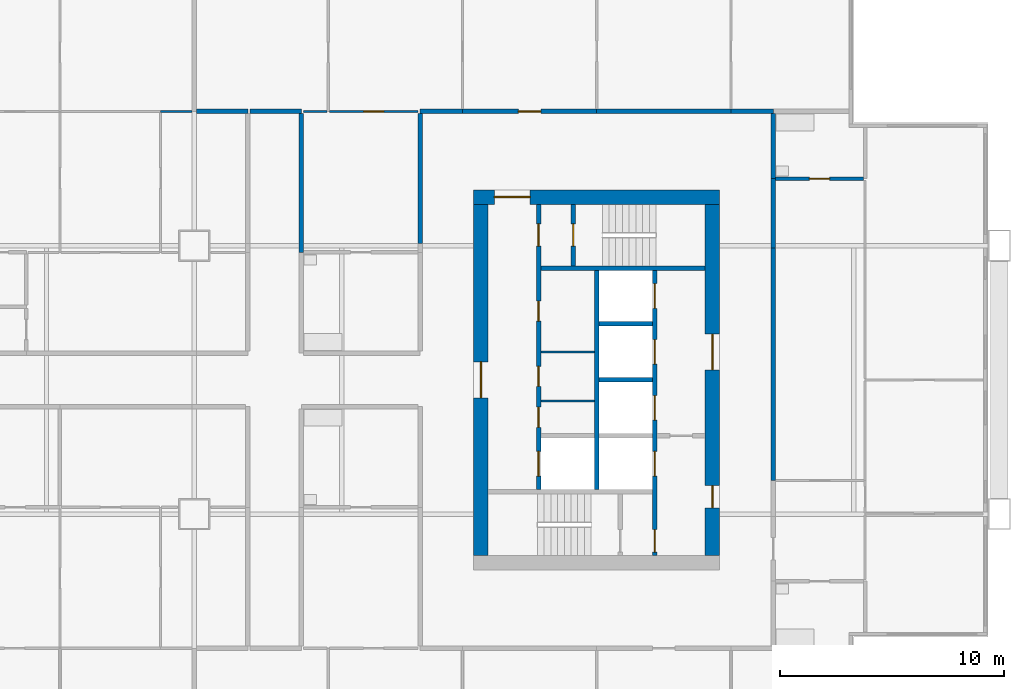
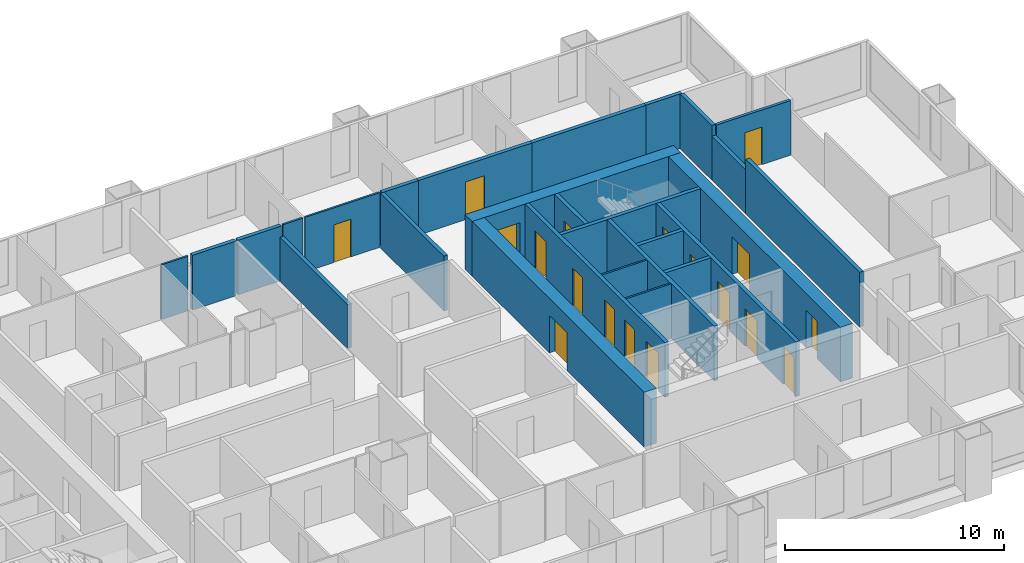
# One storey, part 7 of 12: 27 walls, 18 doors, 18 openings.
"""IFC4 building model written with IfcOpenShell, lengths in metres."""

import ifcopenshell
import ifcopenshell.guid

model = None  # the IFC model being written
_history = None  # IfcOwnerHistory: only IFC2X3 demands one
_inside = {}  # id of a spatial element -> (the spatial element, [elements in it])
_under = {}  # id of a project, library or spatial element -> (it, [spatial elements below it])
_declared = {}  # id of a project -> (the project, [libraries it declares])
_typed = {}  # id of a type object -> (the type object, [elements of that type])
_made_of = {}  # id of a material, layer set ... -> (it, [elements and type objects made of it])


def new_model(schema):
    """Start an empty IFC model of exactly this schema.

    Asked for "IFC4X3", IfcOpenShell would pick the latest addendum, in which some entities
    have other attributes; the version numbers below select the first issue.
    IFC2X3 requires an IfcOwnerHistory on every rooted entity: one is made here for all.
    """
    global model, _history
    if schema == "IFC4X3":
        model = ifcopenshell.file(schema_version=(4, 3, 0, 0))
    else:
        model = ifcopenshell.file(schema=schema)
    _inside.clear()
    _under.clear()
    _declared.clear()
    _typed.clear()
    _made_of.clear()
    _history = None
    if model.schema == "IFC2X3":
        org = make("IfcOrganization", Name="unknown")
        user = make(
            "IfcPersonAndOrganization",
            ThePerson=make("IfcPerson", FamilyName="unknown"),
            TheOrganization=org,
        )
        app = make(
            "IfcApplication",
            ApplicationDeveloper=org,
            Version="unknown",
            ApplicationFullName="unknown",
            ApplicationIdentifier="unknown",
        )
        _history = make(
            "IfcOwnerHistory",
            OwningUser=user,
            OwningApplication=app,
            ChangeAction="ADDED",
            CreationDate=0,
        )
    return model


def make(cls, **values):
    """One entity of the class cls with the attributes given. An attribute that is None is left unset."""
    return model.create_entity(
        cls, **{name: value for name, value in values.items() if value is not None}
    )


def rooted(cls, **values):
    """An entity with a GlobalId (a new one), such as an element, a storey or a relation."""
    return make(cls, GlobalId=ifcopenshell.guid.new(), OwnerHistory=_history, **values)


def si_unit(unit_type, name, prefix=None):
    """IfcSIUnit, for example si_unit("LENGTHUNIT", "METRE", prefix="MILLI")."""
    return make("IfcSIUnit", UnitType=unit_type, Prefix=prefix, Name=name)


def assignment(units):
    """IfcUnitAssignment: the units of a project."""
    return None if units is None else make("IfcUnitAssignment", Units=units)


def point(xyz):
    """IfcCartesianPoint."""
    return None if xyz is None else make("IfcCartesianPoint", Coordinates=xyz)


def direction(xyz):
    """IfcDirection."""
    return None if xyz is None else make("IfcDirection", DirectionRatios=xyz)


def frame(location, z_axis=None, x_axis=None):
    """IfcAxis2Placement3D, a coordinate frame: its origin and axes. An axis left out is left unset."""
    return make(
        "IfcAxis2Placement3D",
        Location=point(location),
        Axis=direction(z_axis),
        RefDirection=direction(x_axis),
    )


def frame_2d(location, x_axis=None):
    """IfcAxis2Placement2D, a coordinate frame in the plane: its origin and x axis."""
    return make(
        "IfcAxis2Placement2D", Location=point(location), RefDirection=direction(x_axis)
    )


def origin():
    """The frame at (0, 0, 0) with its axes left unset."""
    return frame((0.0, 0.0, 0.0))


def place(relative_to, where):
    """IfcLocalPlacement: puts the frame where relative to a parent placement (None: the world)."""
    return make(
        "IfcLocalPlacement", PlacementRelTo=relative_to, RelativePlacement=where
    )


def context(
    kind, dimensions, precision=None, world=None, true_north=None, identifier=None
):
    """IfcGeometricRepresentationContext, for example the 3D "Model" context."""
    return make(
        "IfcGeometricRepresentationContext",
        ContextIdentifier=identifier,
        ContextType=kind,
        CoordinateSpaceDimension=dimensions,
        Precision=precision,
        WorldCoordinateSystem=world,
        TrueNorth=true_north,
    )


def subcontext(parent, identifier, kind, view, scale=None):
    """IfcGeometricRepresentationSubContext, for example "Body" below "Model"."""
    return make(
        "IfcGeometricRepresentationSubContext",
        ContextIdentifier=identifier,
        ContextType=kind,
        ParentContext=parent,
        TargetScale=scale,
        TargetView=view,
    )


def project(units=None, contexts=None):
    """IfcProject with its units and contexts."""
    return rooted(
        "IfcProject",
        Name="project",
        RepresentationContexts=contexts,
        UnitsInContext=assignment(units),
    )


def spatial(cls, under=None, at=None, **own):
    """A site, building, storey or space (cls), placed at a placement, below another one or the project."""
    s = rooted(cls, ObjectPlacement=at, **own)
    if under is not None:
        _under.setdefault(under.id(), (under, []))[1].append(s)
    return s


def profile(cls, at=None, kind="AREA", **sizes):
    """A parametric profile (cls). Its sizes go by their IFC names, for example OverallWidth=200.0."""
    return make(cls, ProfileType=kind, Position=at, **sizes)


def rectangle(**sizes):
    """IfcRectangleProfileDef."""
    return profile("IfcRectangleProfileDef", **sizes)


def extrude(swept, where, along, depth):
    """IfcExtrudedAreaSolid: the profile swept, set in the frame where, extruded along a direction by depth."""
    return make(
        "IfcExtrudedAreaSolid",
        SweptArea=swept,
        Position=where,
        ExtrudedDirection=direction(along),
        Depth=depth,
    )


def shape(context_of_items, identifier, shape_type, items):
    """IfcShapeRepresentation: the items that make up one representation, for example the "Body"."""
    return make(
        "IfcShapeRepresentation",
        ContextOfItems=context_of_items,
        RepresentationIdentifier=identifier,
        RepresentationType=shape_type,
        Items=items,
    )


def material(Name=None, Category=None):
    """IfcMaterial."""
    return make("IfcMaterial", Name=Name, Category=Category)


def layer(
    of_material, thickness, ventilated=None, Name=None, Category=None, Priority=None
):
    """IfcMaterialLayer: one layer of a wall or slab, of a material (None: an air gap)."""
    return make(
        "IfcMaterialLayer",
        Material=of_material,
        LayerThickness=thickness,
        IsVentilated=ventilated,
        Name=Name,
        Category=Category,
        Priority=Priority,
    )


def layer_set(layers, Name=None):
    """IfcMaterialLayerSet."""
    return make("IfcMaterialLayerSet", MaterialLayers=layers, LayerSetName=Name)


def made_of(thing, what):
    """Note that an element or type object is made of a material, layer set ...; save() writes the relation."""
    if what is not None:
        _made_of.setdefault(what.id(), (what, []))[1].append(thing)
    return thing


def type_object(cls, material=None, **own):
    """A type object (cls), such as IfcWallType, which elements share."""
    return made_of(rooted(cls, **own), material)


def element(
    cls,
    number,
    at=None,
    inside=None,
    cuts=None,
    type_object=None,
    material=None,
    context=None,
    identifier="Body",
    shape_type=None,
    held_by="IfcProductDefinitionShape",
    body=None,
    shapes=None,
    **own,
):
    """One element of the class cls, such as IfcWall. Its Tag is "e" and its number.

    at: its placement. inside: the storey or other place that contains it. cuts: it is an
    opening in that element (IfcRelVoidsElement). A single representation is given by context,
    identifier, shape_type and body (its items); several are given by shapes. held_by: the class
    of the entity that holds the representations. save() writes the other relations.
    """
    e = rooted(cls, Tag="e%d" % number, ObjectPlacement=at, **own)
    if body is not None:
        shapes = [shape(context, identifier, shape_type, body)]
    if shapes is not None:
        e.Representation = make(held_by, Representations=shapes)
    if inside is not None:
        _inside.setdefault(inside.id(), (inside, []))[1].append(e)
    if cuts is not None:
        rooted(
            "IfcRelVoidsElement", RelatingBuildingElement=cuts, RelatedOpeningElement=e
        )
    if type_object is not None:
        _typed.setdefault(type_object.id(), (type_object, []))[1].append(e)
    return made_of(e, material)


def fill(opening, filler):
    """IfcRelFillsElement: the door or window that sits in an opening."""
    return rooted(
        "IfcRelFillsElement",
        RelatingOpeningElement=opening,
        RelatedBuildingElement=filler,
    )


def aggregate(whole, parts):
    """IfcRelAggregates: a whole, such as a stair, and the parts it consists of."""
    return rooted("IfcRelAggregates", RelatingObject=whole, RelatedObjects=parts)


def save(model, path):
    """Write the relations noted so far, then the file.

    IfcRelAggregates (storeys below a building ...), IfcRelContainedInSpatialStructure (elements
    in a storey), IfcRelDefinesByType, IfcRelAssociatesMaterial and IfcRelDeclares: one each for
    every whole, place, type object, material and project.
    """
    for whole, parts in _under.values():
        aggregate(whole, parts)
    for where, things in _inside.values():
        rooted(
            "IfcRelContainedInSpatialStructure",
            RelatedElements=things,
            RelatingStructure=where,
        )
    for kind, things in _typed.values():
        rooted("IfcRelDefinesByType", RelatedObjects=things, RelatingType=kind)
    for what, things in _made_of.values():
        rooted("IfcRelAssociatesMaterial", RelatedObjects=things, RelatingMaterial=what)
    for by, libraries in _declared.values():
        rooted("IfcRelDeclares", RelatingContext=by, RelatedDefinitions=libraries)
    model.write(path)


model = new_model("IFC4")

# Units and contexts
model_context = context("Model", 3, precision=1e-05, world=origin(), true_north=direction((0.0, 1.0)))
body_context = subcontext(model_context, "Body", "Model", "MODEL_VIEW")
ifc_project = project(units=[si_unit("LENGTHUNIT", "METRE"), si_unit("AREAUNIT", "SQUARE_METRE"), si_unit("VOLUMEUNIT", "CUBIC_METRE"), si_unit("PLANEANGLEUNIT", "RADIAN"), si_unit("MASSUNIT", "GRAM", prefix="KILO")], contexts=[model_context])

# Site, building, storey
site_placement = place(None, origin())
site = spatial("IfcSite", under=ifc_project, at=site_placement, CompositionType="ELEMENT")
building_placement = place(site_placement, origin())
building = spatial("IfcBuilding", under=site, at=building_placement, Name="Kitamizu Gate Tower and Museum", CompositionType="ELEMENT")
storey_placement = place(building_placement, frame((0.0, 0.0, 134.550048828125)))
storey = spatial("IfcBuildingStorey", under=building, at=storey_placement, Name="L35", CompositionType="ELEMENT", Elevation=134.550048828125)

# Wall, opening, door
ifc_material_1 = material(Name="Concrete Fc60", Category="concrete")
ifc_layer_1 = layer(ifc_material_1, 0.64990234375)
ifc_layer_set_1 = layer_set([ifc_layer_1], Name="Concrete Fc60")
wall_type_1 = type_object("IfcWallType", Name="Core wall 650", PredefinedType="SHEAR", material=ifc_layer_set_1)
wall_1_placement = place(storey_placement, frame((59.5, 38.175048828125, 0.0), z_axis=(0.0, 0.0, 1.0), x_axis=(-1.0, 0.0, 0.0)))
wall_1 = element("IfcWall", 1, at=wall_1_placement, inside=storey, type_object=wall_type_1, Name="Core wall EN", PredefinedType="SHEAR", context=body_context, shape_type="SweptSolid", body=[
    extrude(rectangle(XDim=11.0, YDim=0.64990234375, at=frame_2d((5.5, 0.0))), origin(), (0.0, 0.0, 1.0), 3.050048828125),
])
opening_1_placement = place(wall_1_placement, frame((8.47509765625, 0.0, 0.0)))
opening_1 = element("IfcOpeningElement", 2, at=opening_1_placement, cuts=wall_1, Name="Opening L35-071", PredefinedType="OPENING", context=body_context, shape_type="SweptSolid", body=[
    extrude(rectangle(XDim=1.60009765625, YDim=2.10009765625, at=frame_2d((0.800048828125, 1.050048828125))), frame((0.0, 0.3349609375, 0.0), z_axis=(0.0, -1.0, 0.0), x_axis=(1.0, 0.0, 0.0)), (0.0, 0.0, 1.0), 0.669921875),
])
ifc_material_2 = material(Name="Timber door set", Category="wood")
door_type_1 = type_object("IfcDoorType", Name="Entrance door 1600", OperationType="DOUBLE_DOOR_SINGLE_SWING", PredefinedType="DOOR", material=ifc_material_2)
door_1_placement = place(opening_1_placement, origin())
door_1 = element("IfcDoor", 3, at=door_1_placement, inside=storey, type_object=door_type_1, Name="Lobby door L35-071", OperationType="DOUBLE_DOOR_SINGLE_SWING", OverallHeight=2.10009765625, OverallWidth=1.60009765625, PredefinedType="DOOR", context=body_context, shape_type="SweptSolid", body=[
    extrude(rectangle(XDim=1.60009765625, YDim=2.10009765625, at=frame_2d((0.800048828125, 1.050048828125))), frame((0.0, 0.02490234375, 0.0), z_axis=(0.0, -1.0, 0.0), x_axis=(1.0, 0.0, 0.0)), (0.0, 0.0, 1.0), 0.050048828125),
])
fill(opening_1, door_1)

# Wall, openings, doors
wall_2_placement = place(storey_placement, frame((59.175048828125, 22.14990234375, 0.0), z_axis=(0.0, 0.0, 1.0), x_axis=(0.0, 1.0, 0.0)))
wall_2 = element("IfcWall", 4, at=wall_2_placement, inside=storey, type_object=wall_type_1, Name="Core wall EOUT", PredefinedType="SHEAR", context=body_context, shape_type="SweptSolid", body=[
    extrude(rectangle(XDim=15.7001953125, YDim=0.64990234375, at=frame_2d((7.85009765625, 0.0))), origin(), (0.0, 0.0, 1.0), 3.050048828125),
])
opening_2_placement = place(wall_2_placement, frame((8.300048828125, 0.0, 0.0)))
opening_2 = element("IfcOpeningElement", 5, at=opening_2_placement, cuts=wall_2, Name="Opening L35-069", PredefinedType="OPENING", context=body_context, shape_type="SweptSolid", body=[
    extrude(rectangle(XDim=1.60009765625, YDim=2.10009765625, at=frame_2d((0.800048828125, 1.050048828125))), frame((0.0, 0.3349609375, 0.0), z_axis=(0.0, -1.0, 0.0), x_axis=(1.0, 0.0, 0.0)), (0.0, 0.0, 1.0), 0.669921875),
])
opening_3_placement = place(wall_2_placement, frame((2.125, 0.0, 0.0)))
opening_3 = element("IfcOpeningElement", 6, at=opening_3_placement, cuts=wall_2, Name="Opening L35-070", PredefinedType="OPENING", context=body_context, shape_type="SweptSolid", body=[
    extrude(rectangle(XDim=1.0, YDim=2.10009765625, at=frame_2d((0.5, 1.050048828125))), frame((0.0, 0.3349609375, 0.0), z_axis=(0.0, -1.0, 0.0), x_axis=(1.0, 0.0, 0.0)), (0.0, 0.0, 1.0), 0.669921875),
])
door_2_placement = place(opening_2_placement, origin())
door_2 = element("IfcDoor", 7, at=door_2_placement, inside=storey, type_object=door_type_1, Name="Lobby door L35-069", OperationType="DOUBLE_DOOR_SINGLE_SWING", OverallHeight=2.10009765625, OverallWidth=1.60009765625, PredefinedType="DOOR", context=body_context, shape_type="SweptSolid", body=[
    extrude(rectangle(XDim=1.60009765625, YDim=2.10009765625, at=frame_2d((0.800048828125, 1.050048828125))), frame((0.0, 0.02490234375, 0.0), z_axis=(0.0, -1.0, 0.0), x_axis=(1.0, 0.0, 0.0)), (0.0, 0.0, 1.0), 0.050048828125),
])
fill(opening_2, door_2)
ifc_material_3 = material(Name="Hollow metal door set")
door_type_2 = type_object("IfcDoorType", Name="Fire door 1000", OperationType="NOTDEFINED", PredefinedType="DOOR", material=ifc_material_3)
door_3_placement = place(opening_3_placement, origin())
door_3 = element("IfcDoor", 8, at=door_3_placement, inside=storey, type_object=door_type_2, Name="Fire-fighting lobby door L35-070", OperationType="SINGLE_SWING_RIGHT", OverallHeight=2.10009765625, OverallWidth=1.0, PredefinedType="DOOR", context=body_context, shape_type="SweptSolid", body=[
    extrude(rectangle(XDim=1.0, YDim=2.10009765625, at=frame_2d((0.5, 1.050048828125))), frame((0.0, 0.02490234375, 0.0), z_axis=(0.0, -1.0, 0.0), x_axis=(1.0, 0.0, 0.0)), (0.0, 0.0, 1.0), 0.050048828125),
])
fill(opening_3, door_3)

# Wall, opening, door
wall_3_placement = place(storey_placement, frame((48.824951171875, 22.14990234375, 0.0), z_axis=(0.0, 0.0, 1.0), x_axis=(0.0, 1.0, 0.0)))
wall_3 = element("IfcWall", 9, at=wall_3_placement, inside=storey, type_object=wall_type_1, Name="Core wall EARC", PredefinedType="SHEAR", context=body_context, shape_type="SweptSolid", body=[
    extrude(rectangle(XDim=15.7001953125, YDim=0.64990234375, at=frame_2d((7.85009765625, 0.0))), origin(), (0.0, 0.0, 1.0), 3.050048828125),
])
opening_4_placement = place(wall_3_placement, frame((7.050048828125, 0.0, 0.0)))
opening_4 = element("IfcOpeningElement", 10, at=opening_4_placement, cuts=wall_3, Name="Opening L35-072", PredefinedType="OPENING", context=body_context, shape_type="SweptSolid", body=[
    extrude(rectangle(XDim=1.60009765625, YDim=2.10009765625, at=frame_2d((0.800048828125, 1.050048828125))), frame((0.0, 0.3349609375, 0.0), z_axis=(0.0, -1.0, 0.0), x_axis=(1.0, 0.0, 0.0)), (0.0, 0.0, 1.0), 0.669921875),
])
door_4_placement = place(opening_4_placement, origin())
door_4 = element("IfcDoor", 11, at=door_4_placement, inside=storey, type_object=door_type_1, Name="Lobby door L35-072", OperationType="DOUBLE_DOOR_SINGLE_SWING", OverallHeight=2.10009765625, OverallWidth=1.60009765625, PredefinedType="DOOR", context=body_context, shape_type="SweptSolid", body=[
    extrude(rectangle(XDim=1.60009765625, YDim=2.10009765625, at=frame_2d((0.800048828125, 1.050048828125))), frame((0.0, 0.02490234375, 0.0), z_axis=(0.0, -1.0, 0.0), x_axis=(1.0, 0.0, 0.0)), (0.0, 0.0, 1.0), 0.050048828125),
])
fill(opening_4, door_4)

# Walls
ifc_material_4 = material(Name="Gypsum board on galvanised stud")
ifc_layer_2 = layer(ifc_material_4, 0.10009765625)
ifc_layer_set_2 = layer_set([ifc_layer_2], Name="Gypsum board on galvanised stud")
wall_type_2 = type_object("IfcWallType", Name="Partition 100", PredefinedType="PARTITIONING", material=ifc_layer_set_2)
for number, where, z_axis, x_axis, name in (
    (12, (53.89990234375, 29.06005859375, 0.0), (0.0, 0.0, 1.0), (-1.0, 0.0, 0.0), "Partition EPF1"),
    (13, (53.89990234375, 31.25, 0.0), (0.0, 0.0, 1.0), (-1.0, 0.0, 0.0), "Partition EPF2"),
):
    element("IfcWall", number, at=place(storey_placement, frame(where, z_axis=z_axis, x_axis=x_axis)), inside=storey, type_object=wall_type_2, Name=name, PredefinedType="PARTITIONING", context=body_context, shape_type="SweptSolid", body=[
        extrude(rectangle(XDim=2.39990234375, YDim=0.10009765625, at=frame_2d((1.199951171875, 0.0))), origin(), (0.0, 0.0, 1.0), 3.050048828125),
    ])
ifc_material_5 = material(Name="Gypsum board on galvanised stud")
ifc_layer_3 = layer(ifc_material_5, 0.10009765625)
ifc_layer_set_3 = layer_set([ifc_layer_3], Name="Gypsum board on galvanised stud")
wall_type_3 = type_object("IfcWallType", Name="Partition 100 NOT RATED", PredefinedType="PARTITIONING", material=ifc_layer_set_3)
wall_4_placement = place(storey_placement, frame((34.5, 42.0, 0.0), z_axis=(0.0, 0.0, 1.0), x_axis=(1.0, 0.0, 0.0)))
element("IfcWall", 14, at=wall_4_placement, inside=storey, type_object=wall_type_3, Name="Partition L35-061", PredefinedType="PARTITIONING", context=body_context, shape_type="SweptSolid", body=[
    extrude(rectangle(XDim=1.39990234375, YDim=0.10009765625, at=frame_2d((0.699951171875, 0.0))), origin(), (0.0, 0.0, 1.0), 3.050048828125),
])
wall_5_placement = place(storey_placement, frame((40.89990234375, 42.0, 0.0), z_axis=(0.0, 0.0, 1.0), x_axis=(1.0, 0.0, 0.0)))
element("IfcWall", 15, at=wall_5_placement, inside=storey, type_object=wall_type_3, Name="Partition L35-107", PredefinedType="PARTITIONING", context=body_context, shape_type="SweptSolid", body=[
    extrude(rectangle(XDim=1.050048828125, YDim=0.10009765625, at=frame_2d((0.52490234375, 0.0))), origin(), (0.0, 0.0, 1.0), 3.050048828125),
])

# Wall, opening, door
wall_6_placement = place(storey_placement, frame((42.050048828125, 42.0, 0.0), z_axis=(0.0, 0.0, 1.0), x_axis=(1.0, 0.0, 0.0)))
wall_6 = element("IfcWall", 16, at=wall_6_placement, inside=storey, type_object=wall_type_3, Name="Partition L35-110", PredefinedType="PARTITIONING", context=body_context, shape_type="SweptSolid", body=[
    extrude(rectangle(XDim=3.949951171875, YDim=0.10009765625, at=frame_2d((1.97509765625, 0.0))), origin(), (0.0, 0.0, 1.0), 3.050048828125),
])
opening_5_placement = place(wall_6_placement, frame((1.52490234375, 0.0, 0.0)))
opening_5 = element("IfcOpeningElement", 17, at=opening_5_placement, cuts=wall_6, Name="Opening L35-043", PredefinedType="OPENING", context=body_context, shape_type="SweptSolid", body=[
    extrude(rectangle(XDim=0.89990234375, YDim=2.10009765625, at=frame_2d((0.449951171875, 1.050048828125))), frame((0.0, 0.06005859375, 0.0), z_axis=(0.0, -1.0, 0.0), x_axis=(1.0, 0.0, 0.0)), (0.0, 0.0, 1.0), 0.1201171875),
])
ifc_material_6 = material(Name="Timber door set", Category="wood")
door_type_3 = type_object("IfcDoorType", Name="Room door 900", OperationType="NOTDEFINED", PredefinedType="DOOR", material=ifc_material_6)
door_5_placement = place(opening_5_placement, origin())
door_5 = element("IfcDoor", 18, at=door_5_placement, inside=storey, type_object=door_type_3, Name="Door L35-043", OperationType="SINGLE_SWING_LEFT", OverallHeight=2.10009765625, OverallWidth=0.89990234375, PredefinedType="DOOR", context=body_context, shape_type="SweptSolid", body=[
    extrude(rectangle(XDim=0.89990234375, YDim=2.10009765625, at=frame_2d((0.449951171875, 1.050048828125))), frame((0.0, 0.02490234375, 0.0), z_axis=(0.0, -1.0, 0.0), x_axis=(1.0, 0.0, 0.0)), (0.0, 0.0, 1.0), 0.050048828125),
])
fill(opening_5, door_5)

ifc_material_7 = material(Name="Gypsum board on galvanised stud")
ifc_layer_4 = layer(ifc_material_7, 0.14990234375)
ifc_layer_set_4 = layer_set([ifc_layer_4], Name="Gypsum board on galvanised stud")
wall_type_4 = type_object("IfcWallType", Name="Partition 150", PredefinedType="PARTITIONING", material=ifc_layer_set_4)
wall_7_placement = place(storey_placement, frame((65.925048828125, 39.0, 0.0), z_axis=(0.0, 0.0, 1.0), x_axis=(-1.0, 0.0, 0.0)))
wall_7 = element("IfcWall", 19, at=wall_7_placement, inside=storey, type_object=wall_type_4, Name="Partition L35-139", PredefinedType="PARTITIONING", context=body_context, shape_type="SweptSolid", body=[
    extrude(rectangle(XDim=3.925048828125, YDim=0.14990234375, at=frame_2d((1.96240234375, 0.0))), origin(), (0.0, 0.0, 1.0), 3.050048828125),
])
opening_6_placement = place(wall_7_placement, frame((1.512451171875, 0.0, 0.0)))
opening_6 = element("IfcOpeningElement", 20, at=opening_6_placement, cuts=wall_7, Name="Opening L35-051", PredefinedType="OPENING", context=body_context, shape_type="SweptSolid", body=[
    extrude(rectangle(XDim=0.89990234375, YDim=2.10009765625, at=frame_2d((0.449951171875, 1.050048828125))), frame((0.0, 0.0849609375, 0.0), z_axis=(0.0, -1.0, 0.0), x_axis=(1.0, 0.0, 0.0)), (0.0, 0.0, 1.0), 0.169921875),
])
ifc_material_8 = material(Name="Timber door set", Category="wood")
door_type_4 = type_object("IfcDoorType", Name="Bathroom door 900", OperationType="NOTDEFINED", PredefinedType="DOOR", material=ifc_material_8)
door_6_placement = place(opening_6_placement, frame((0.89990234375, 0.0, 0.0), x_axis=(-1.0, 0.0, 0.0)))
door_6 = element("IfcDoor", 21, at=door_6_placement, inside=storey, type_object=door_type_4, Name="Bathroom door L35-051", OperationType="SINGLE_SWING_RIGHT", OverallHeight=2.10009765625, OverallWidth=0.89990234375, PredefinedType="DOOR", context=body_context, shape_type="SweptSolid", body=[
    extrude(rectangle(XDim=0.89990234375, YDim=2.10009765625, at=frame_2d((0.449951171875, 1.050048828125))), frame((0.0, 0.02490234375, 0.0), z_axis=(0.0, -1.0, 0.0), x_axis=(1.0, 0.0, 0.0)), (0.0, 0.0, 1.0), 0.050048828125),
])
fill(opening_6, door_6)

# Walls
ifc_material_9 = material(Name="Gypsum board on galvanised stud")
ifc_layer_5 = layer(ifc_material_9, 0.199951171875)
ifc_layer_set_5 = layer_set([ifc_layer_5], Name="Gypsum board on galvanised stud")
wall_type_5 = type_object("IfcWallType", Name="Partition 200", PredefinedType="PARTITIONING", material=ifc_layer_set_5)
wall_8_placement = place(storey_placement, frame((38.39990234375, 42.0, 0.0), z_axis=(0.0, 0.0, 1.0), x_axis=(-1.0, 0.0, 0.0)))
element("IfcWall", 22, at=wall_8_placement, inside=storey, type_object=wall_type_5, Name="Partition L35-073", PredefinedType="PARTITIONING", context=body_context, shape_type="SweptSolid", body=[
    extrude(rectangle(XDim=2.2998046875, YDim=0.199951171875, at=frame_2d((1.14990234375, 0.0))), origin(), (0.0, 0.0, 1.0), 3.050048828125),
])
wall_9_placement = place(storey_placement, frame((38.5, 42.0, 0.0), z_axis=(0.0, 0.0, 1.0), x_axis=(1.0, 0.0, 0.0)))
element("IfcWall", 23, at=wall_9_placement, inside=storey, type_object=wall_type_5, Name="Partition L35-108", PredefinedType="PARTITIONING", context=body_context, shape_type="SweptSolid", body=[
    extrude(rectangle(XDim=2.300048828125, YDim=0.199951171875, at=frame_2d((1.14990234375, 0.0))), origin(), (0.0, 0.0, 1.0), 3.050048828125),
])
wall_10_placement = place(storey_placement, frame((46.10009765625, 42.0, 0.0), z_axis=(0.0, 0.0, 1.0), x_axis=(1.0, 0.0, 0.0)))
element("IfcWall", 24, at=wall_10_placement, inside=storey, type_object=wall_type_5, Name="Partition L35-111", PredefinedType="PARTITIONING", context=body_context, shape_type="SweptSolid", body=[
    extrude(rectangle(XDim=1.89990234375, YDim=0.199951171875, at=frame_2d((0.949951171875, 0.0))), origin(), (0.0, 0.0, 1.0), 3.050048828125),
])

# Wall, opening, door
wall_11_placement = place(storey_placement, frame((48.0, 42.0, 0.0), z_axis=(0.0, 0.0, 1.0), x_axis=(1.0, 0.0, 0.0)))
wall_11 = element("IfcWall", 25, at=wall_11_placement, inside=storey, type_object=wall_type_5, Name="Partition L35-113", PredefinedType="PARTITIONING", context=body_context, shape_type="SweptSolid", body=[
    extrude(rectangle(XDim=6.0, YDim=0.199951171875, at=frame_2d((3.0, 0.0))), origin(), (0.0, 0.0, 1.0), 3.050048828125),
])
opening_7_placement = place(wall_11_placement, frame((2.5, 0.0, 0.0)))
opening_7 = element("IfcOpeningElement", 26, at=opening_7_placement, cuts=wall_11, Name="Opening L35-038", PredefinedType="OPENING", context=body_context, shape_type="SweptSolid", body=[
    extrude(rectangle(XDim=1.0, YDim=2.10009765625, at=frame_2d((0.5, 1.050048828125))), frame((0.0, 0.10986328125, 0.0), z_axis=(0.0, -1.0, 0.0), x_axis=(1.0, 0.0, 0.0)), (0.0, 0.0, 1.0), 0.219970703125),
])
ifc_material_10 = material(Name="Timber door set", Category="wood")
door_type_5 = type_object("IfcDoorType", Name="Flat entrance door 1000", OperationType="NOTDEFINED", PredefinedType="DOOR", material=ifc_material_10)
door_7_placement = place(opening_7_placement, origin())
door_7 = element("IfcDoor", 27, at=door_7_placement, inside=storey, type_object=door_type_5, Name="Flat entrance door L35-038", OperationType="SINGLE_SWING_RIGHT", OverallHeight=2.10009765625, OverallWidth=1.0, PredefinedType="DOOR", context=body_context, shape_type="SweptSolid", body=[
    extrude(rectangle(XDim=1.0, YDim=2.10009765625, at=frame_2d((0.5, 1.050048828125))), frame((0.0, 0.02490234375, 0.0), z_axis=(0.0, -1.0, 0.0), x_axis=(1.0, 0.0, 0.0)), (0.0, 0.0, 1.0), 0.050048828125),
])
fill(opening_7, door_7)

# Walls
wall_12_placement = place(storey_placement, frame((54.0, 42.0, 0.0), z_axis=(0.0, 0.0, 1.0), x_axis=(1.0, 0.0, 0.0)))
element("IfcWall", 28, at=wall_12_placement, inside=storey, type_object=wall_type_5, Name="Partition L35-115", PredefinedType="PARTITIONING", context=body_context, shape_type="SweptSolid", body=[
    extrude(rectangle(XDim=6.0, YDim=0.199951171875, at=frame_2d((3.0, 0.0))), origin(), (0.0, 0.0, 1.0), 3.050048828125),
])
wall_13_placement = place(storey_placement, frame((60.0, 42.0, 0.0), z_axis=(0.0, 0.0, 1.0), x_axis=(1.0, 0.0, 0.0)))
element("IfcWall", 29, at=wall_13_placement, inside=storey, type_object=wall_type_5, Name="Partition L35-117", PredefinedType="PARTITIONING", context=body_context, shape_type="SweptSolid", body=[
    extrude(rectangle(XDim=1.89990234375, YDim=0.199951171875, at=frame_2d((0.949951171875, 0.0))), origin(), (0.0, 0.0, 1.0), 3.050048828125),
])
wall_14_placement = place(storey_placement, frame((40.800048828125, 41.89990234375, 0.0), z_axis=(0.0, 0.0, 1.0), x_axis=(0.0, -1.0, 0.0)))
element("IfcWall", 30, at=wall_14_placement, inside=storey, type_object=wall_type_5, Name="Partition L35-119", PredefinedType="PARTITIONING", context=body_context, shape_type="SweptSolid", body=[
    extrude(rectangle(XDim=6.199951171875, YDim=0.199951171875, at=frame_2d((3.10009765625, 0.0))), origin(), (0.0, 0.0, 1.0), 2.449951171875),
])
wall_15_placement = place(storey_placement, frame((46.10009765625, 36.10009765625, 0.0), z_axis=(0.0, 0.0, 1.0), x_axis=(0.0, 1.0, 0.0)))
element("IfcWall", 31, at=wall_15_placement, inside=storey, type_object=wall_type_5, Name="Partition L35-121", PredefinedType="PARTITIONING", context=body_context, shape_type="SweptSolid", body=[
    extrude(rectangle(XDim=5.7998046875, YDim=0.199951171875, at=frame_2d((2.89990234375, 0.0))), origin(), (0.0, 0.0, 1.0), 3.050048828125),
])
wall_16_placement = place(storey_placement, frame((61.89990234375, 39.0, 0.0), z_axis=(0.0, 0.0, 1.0), x_axis=(0.0, -1.0, 0.0)))
element("IfcWall", 32, at=wall_16_placement, inside=storey, type_object=wall_type_5, Name="Partition L35-140", PredefinedType="PARTITIONING", context=body_context, shape_type="SweptSolid", body=[
    extrude(rectangle(XDim=3.10009765625, YDim=0.199951171875, at=frame_2d((1.550048828125, 0.0))), origin(), (0.0, 0.0, 1.0), 2.449951171875),
])
wall_17_placement = place(storey_placement, frame((61.89990234375, 35.89990234375, 0.0), z_axis=(0.0, 0.0, 1.0), x_axis=(0.0, -1.0, 0.0)))
element("IfcWall", 33, at=wall_17_placement, inside=storey, type_object=wall_type_5, Name="Partition L35-141", PredefinedType="PARTITIONING", context=body_context, shape_type="SweptSolid", body=[
    extrude(rectangle(XDim=10.39990234375, YDim=0.199951171875, at=frame_2d((5.199951171875, 0.0))), origin(), (0.0, 0.0, 1.0), 3.050048828125),
])
wall_18_placement = place(storey_placement, frame((61.89990234375, 41.89990234375, 0.0), z_axis=(0.0, 0.0, 1.0), x_axis=(0.0, -1.0, 0.0)))
element("IfcWall", 34, at=wall_18_placement, inside=storey, type_object=wall_type_5, Name="Partition L35-142", PredefinedType="PARTITIONING", context=body_context, shape_type="SweptSolid", body=[
    extrude(rectangle(XDim=2.89990234375, YDim=0.199951171875, at=frame_2d((1.449951171875, 0.0))), origin(), (0.0, 0.0, 1.0), 3.050048828125),
])

# Wall, openings, doors
ifc_material_11 = material(Name="Concrete Fc42", Category="concrete")
ifc_layer_6 = layer(ifc_material_11, 0.199951171875)
ifc_layer_set_6 = layer_set([ifc_layer_6], Name="Concrete Fc42")
wall_type_6 = type_object("IfcWallType", Name="Shaft wall 200", PredefinedType="SOLIDWALL", material=ifc_layer_set_6)
wall_19_placement = place(storey_placement, frame((56.60009765625, 22.14990234375, 0.0), z_axis=(0.0, 0.0, 1.0), x_axis=(0.0, 1.0, 0.0)))
wall_19 = element("IfcWall", 35, at=wall_19_placement, inside=storey, type_object=wall_type_6, Name="Shaft wall EWEST", PredefinedType="SOLIDWALL", context=body_context, shape_type="SweptSolid", body=[
    extrude(rectangle(XDim=12.75, YDim=0.199951171875, at=frame_2d((6.375, 0.0))), origin(), (0.0, 0.0, 1.0), 3.050048828125),
])
opening_8_placement = place(wall_19_placement, frame((3.550048828125, 0.0, 0.0)))
opening_8 = element("IfcOpeningElement", 36, at=opening_8_placement, cuts=wall_19, Name="Opening LD", PredefinedType="OPENING", context=body_context, shape_type="SweptSolid", body=[
    extrude(rectangle(XDim=1.10009765625, YDim=2.10009765625, at=frame_2d((0.550048828125, 1.050048828125))), frame((0.0, 0.10986328125, 0.0), z_axis=(0.0, -1.0, 0.0), x_axis=(1.0, 0.0, 0.0)), (0.0, 0.0, 1.0), 0.219970703125),
])
opening_9_placement = place(wall_19_placement, frame((6.050048828125, 0.0, 0.0)))
opening_9 = element("IfcOpeningElement", 37, at=opening_9_placement, cuts=wall_19, Name="Opening LD", PredefinedType="OPENING", context=body_context, shape_type="SweptSolid", body=[
    extrude(rectangle(XDim=1.10009765625, YDim=2.10009765625, at=frame_2d((0.550048828125, 1.050048828125))), frame((0.0, 0.10986328125, 0.0), z_axis=(0.0, -1.0, 0.0), x_axis=(1.0, 0.0, 0.0)), (0.0, 0.0, 1.0), 0.219970703125),
])
opening_10_placement = place(wall_19_placement, frame((8.550048828125, 0.0, 0.0)))
opening_10 = element("IfcOpeningElement", 38, at=opening_10_placement, cuts=wall_19, Name="Opening LD", PredefinedType="OPENING", context=body_context, shape_type="SweptSolid", body=[
    extrude(rectangle(XDim=1.10009765625, YDim=2.10009765625, at=frame_2d((0.550048828125, 1.050048828125))), frame((0.0, 0.10986328125, 0.0), z_axis=(0.0, -1.0, 0.0), x_axis=(1.0, 0.0, 0.0)), (0.0, 0.0, 1.0), 0.219970703125),
])
opening_11_placement = place(wall_19_placement, frame((11.050048828125, 0.0, 0.0)))
opening_11 = element("IfcOpeningElement", 39, at=opening_11_placement, cuts=wall_19, Name="Opening LD", PredefinedType="OPENING", context=body_context, shape_type="SweptSolid", body=[
    extrude(rectangle(XDim=1.10009765625, YDim=2.10009765625, at=frame_2d((0.550048828125, 1.050048828125))), frame((0.0, 0.10986328125, 0.0), z_axis=(0.0, -1.0, 0.0), x_axis=(1.0, 0.0, 0.0)), (0.0, 0.0, 1.0), 0.219970703125),
])
opening_12_placement = place(wall_19_placement, frame((0.14990234375, 0.0, 0.0)))
opening_12 = element("IfcOpeningElement", 40, at=opening_12_placement, cuts=wall_19, Name="Opening L35-065", PredefinedType="OPENING", context=body_context, shape_type="SweptSolid", body=[
    extrude(rectangle(XDim=1.0, YDim=2.10009765625, at=frame_2d((0.5, 1.050048828125))), frame((0.0, 0.10986328125, 0.0), z_axis=(0.0, -1.0, 0.0), x_axis=(1.0, 0.0, 0.0)), (0.0, 0.0, 1.0), 0.219970703125),
])
door_8_placement = place(opening_12_placement, origin())
door_8 = element("IfcDoor", 41, at=door_8_placement, inside=storey, type_object=door_type_2, Name="Stair lobby door L35-065", OperationType="SINGLE_SWING_RIGHT", OverallHeight=2.10009765625, OverallWidth=1.0, PredefinedType="DOOR", context=body_context, shape_type="SweptSolid", body=[
    extrude(rectangle(XDim=1.0, YDim=2.10009765625, at=frame_2d((0.5, 1.050048828125))), frame((0.0, 0.02490234375, 0.0), z_axis=(0.0, -1.0, 0.0), x_axis=(1.0, 0.0, 0.0)), (0.0, 0.0, 1.0), 0.050048828125),
])
fill(opening_12, door_8)
ifc_material_12 = material(Name="Hollow metal door set")
door_type_6 = type_object("IfcDoorType", Name="Landing door 1100", OperationType="SLIDING_TO_LEFT", PredefinedType="DOOR", material=ifc_material_12)
door_9_placement = place(opening_8_placement, origin())
door_9 = element("IfcDoor", 42, at=door_9_placement, inside=storey, type_object=door_type_6, Name="Landing door EFF1", OperationType="SLIDING_TO_LEFT", OverallHeight=2.10009765625, OverallWidth=1.10009765625, PredefinedType="DOOR", context=body_context, shape_type="SweptSolid", body=[
    extrude(rectangle(XDim=1.10009765625, YDim=2.10009765625, at=frame_2d((0.550048828125, 1.050048828125))), frame((0.0, 0.02490234375, 0.0), z_axis=(0.0, -1.0, 0.0), x_axis=(1.0, 0.0, 0.0)), (0.0, 0.0, 1.0), 0.050048828125),
])
fill(opening_8, door_9)
door_10_placement = place(opening_9_placement, origin())
door_10 = element("IfcDoor", 43, at=door_10_placement, inside=storey, type_object=door_type_6, Name="Landing door EL1", OperationType="SLIDING_TO_LEFT", OverallHeight=2.10009765625, OverallWidth=1.10009765625, PredefinedType="DOOR", context=body_context, shape_type="SweptSolid", body=[
    extrude(rectangle(XDim=1.10009765625, YDim=2.10009765625, at=frame_2d((0.550048828125, 1.050048828125))), frame((0.0, 0.02490234375, 0.0), z_axis=(0.0, -1.0, 0.0), x_axis=(1.0, 0.0, 0.0)), (0.0, 0.0, 1.0), 0.050048828125),
])
fill(opening_9, door_10)
door_11_placement = place(opening_10_placement, origin())
door_11 = element("IfcDoor", 44, at=door_11_placement, inside=storey, type_object=door_type_6, Name="Landing door EL2", OperationType="SLIDING_TO_LEFT", OverallHeight=2.10009765625, OverallWidth=1.10009765625, PredefinedType="DOOR", context=body_context, shape_type="SweptSolid", body=[
    extrude(rectangle(XDim=1.10009765625, YDim=2.10009765625, at=frame_2d((0.550048828125, 1.050048828125))), frame((0.0, 0.02490234375, 0.0), z_axis=(0.0, -1.0, 0.0), x_axis=(1.0, 0.0, 0.0)), (0.0, 0.0, 1.0), 0.050048828125),
])
fill(opening_10, door_11)
door_12_placement = place(opening_11_placement, origin())
door_12 = element("IfcDoor", 45, at=door_12_placement, inside=storey, type_object=door_type_6, Name="Landing door EL3", OperationType="SLIDING_TO_LEFT", OverallHeight=2.10009765625, OverallWidth=1.10009765625, PredefinedType="DOOR", context=body_context, shape_type="SweptSolid", body=[
    extrude(rectangle(XDim=1.10009765625, YDim=2.10009765625, at=frame_2d((0.550048828125, 1.050048828125))), frame((0.0, 0.02490234375, 0.0), z_axis=(0.0, -1.0, 0.0), x_axis=(1.0, 0.0, 0.0)), (0.0, 0.0, 1.0), 0.050048828125),
])
fill(opening_11, door_12)

wall_20_placement = place(storey_placement, frame((51.39990234375, 25.10009765625, 0.0), z_axis=(0.0, 0.0, 1.0), x_axis=(0.0, 1.0, 0.0)))
wall_20 = element("IfcWall", 46, at=wall_20_placement, inside=storey, type_object=wall_type_6, Name="Shaft wall EEAST", PredefinedType="SOLIDWALL", context=body_context, shape_type="SweptSolid", body=[
    extrude(rectangle(XDim=12.75, YDim=0.199951171875, at=frame_2d((6.375, 0.0))), origin(), (0.0, 0.0, 1.0), 3.050048828125),
])
opening_13_placement = place(wall_20_placement, frame((0.60009765625, 0.0, 0.0)))
opening_13 = element("IfcOpeningElement", 47, at=opening_13_placement, cuts=wall_20, Name="Opening LD", PredefinedType="OPENING", context=body_context, shape_type="SweptSolid", body=[
    extrude(rectangle(XDim=1.10009765625, YDim=2.10009765625, at=frame_2d((0.550048828125, 1.050048828125))), frame((0.0, 0.10986328125, 0.0), z_axis=(0.0, -1.0, 0.0), x_axis=(1.0, 0.0, 0.0)), (0.0, 0.0, 1.0), 0.219970703125),
])
opening_14_placement = place(wall_20_placement, frame((10.875, 0.0, 0.0)))
opening_14 = element("IfcOpeningElement", 48, at=opening_14_placement, cuts=wall_20, Name="Opening L35-066", PredefinedType="OPENING", context=body_context, shape_type="SweptSolid", body=[
    extrude(rectangle(XDim=1.0, YDim=2.10009765625, at=frame_2d((0.5, 1.050048828125))), frame((0.0, 0.10986328125, 0.0), z_axis=(0.0, -1.0, 0.0), x_axis=(1.0, 0.0, 0.0)), (0.0, 0.0, 1.0), 0.219970703125),
])
opening_15_placement = place(wall_20_placement, frame((2.780029296875, 0.0, 0.0)))
opening_15 = element("IfcOpeningElement", 49, at=opening_15_placement, cuts=wall_20, Name="Opening L35-073", PredefinedType="OPENING", context=body_context, shape_type="SweptSolid", body=[
    extrude(rectangle(XDim=0.89990234375, YDim=2.10009765625, at=frame_2d((0.449951171875, 1.050048828125))), frame((0.0, 0.10986328125, 0.0), z_axis=(0.0, -1.0, 0.0), x_axis=(1.0, 0.0, 0.0)), (0.0, 0.0, 1.0), 0.219970703125),
])
opening_16_placement = place(wall_20_placement, frame((4.60498046875, 0.0, 0.0)))
opening_16 = element("IfcOpeningElement", 50, at=opening_16_placement, cuts=wall_20, Name="Opening L35-074", PredefinedType="OPENING", context=body_context, shape_type="SweptSolid", body=[
    extrude(rectangle(XDim=0.89990234375, YDim=2.10009765625, at=frame_2d((0.449951171875, 1.050048828125))), frame((0.0, 0.10986328125, 0.0), z_axis=(0.0, -1.0, 0.0), x_axis=(1.0, 0.0, 0.0)), (0.0, 0.0, 1.0), 0.219970703125),
])
opening_17_placement = place(wall_20_placement, frame((7.52490234375, 0.0, 0.0)))
opening_17 = element("IfcOpeningElement", 51, at=opening_17_placement, cuts=wall_20, Name="Opening L35-075", PredefinedType="OPENING", context=body_context, shape_type="SweptSolid", body=[
    extrude(rectangle(XDim=0.89990234375, YDim=2.10009765625, at=frame_2d((0.449951171875, 1.050048828125))), frame((0.0, 0.10986328125, 0.0), z_axis=(0.0, -1.0, 0.0), x_axis=(1.0, 0.0, 0.0)), (0.0, 0.0, 1.0), 0.219970703125),
])
door_13_placement = place(opening_14_placement, frame((1.0, 0.0, 0.0), x_axis=(-1.0, 0.0, 0.0)))
door_13 = element("IfcDoor", 52, at=door_13_placement, inside=storey, type_object=door_type_2, Name="Stair lobby door L35-066", OperationType="SINGLE_SWING_RIGHT", OverallHeight=2.10009765625, OverallWidth=1.0, PredefinedType="DOOR", context=body_context, shape_type="SweptSolid", body=[
    extrude(rectangle(XDim=1.0, YDim=2.10009765625, at=frame_2d((0.5, 1.050048828125))), frame((0.0, 0.02490234375, 0.0), z_axis=(0.0, -1.0, 0.0), x_axis=(1.0, 0.0, 0.0)), (0.0, 0.0, 1.0), 0.050048828125),
])
fill(opening_14, door_13)
door_14_placement = place(opening_13_placement, origin())
door_14 = element("IfcDoor", 53, at=door_14_placement, inside=storey, type_object=door_type_6, Name="Landing door ESV1", OperationType="SLIDING_TO_LEFT", OverallHeight=2.10009765625, OverallWidth=1.10009765625, PredefinedType="DOOR", context=body_context, shape_type="SweptSolid", body=[
    extrude(rectangle(XDim=1.10009765625, YDim=2.10009765625, at=frame_2d((0.550048828125, 1.050048828125))), frame((0.0, 0.02490234375, 0.0), z_axis=(0.0, -1.0, 0.0), x_axis=(1.0, 0.0, 0.0)), (0.0, 0.0, 1.0), 0.050048828125),
])
fill(opening_13, door_14)
ifc_material_13 = material(Name="Timber door set", Category="wood")
door_type_7 = type_object("IfcDoorType", Name="Service door 900", OperationType="NOTDEFINED", PredefinedType="DOOR", material=ifc_material_13)
door_15_placement = place(opening_15_placement, frame((0.89990234375, 0.0, 0.0), x_axis=(-1.0, 0.0, 0.0)))
door_15 = element("IfcDoor", 54, at=door_15_placement, inside=storey, type_object=door_type_7, Name="Service door L35-073", OperationType="SINGLE_SWING_RIGHT", OverallHeight=2.10009765625, OverallWidth=0.89990234375, PredefinedType="DOOR", context=body_context, shape_type="SweptSolid", body=[
    extrude(rectangle(XDim=0.89990234375, YDim=2.10009765625, at=frame_2d((0.449951171875, 1.050048828125))), frame((0.0, 0.02490234375, 0.0), z_axis=(0.0, -1.0, 0.0), x_axis=(1.0, 0.0, 0.0)), (0.0, 0.0, 1.0), 0.050048828125),
])
fill(opening_15, door_15)
door_16_placement = place(opening_16_placement, frame((0.89990234375, 0.0, 0.0), x_axis=(-1.0, 0.0, 0.0)))
door_16 = element("IfcDoor", 55, at=door_16_placement, inside=storey, type_object=door_type_7, Name="Service door L35-074", OperationType="SINGLE_SWING_LEFT", OverallHeight=2.10009765625, OverallWidth=0.89990234375, PredefinedType="DOOR", context=body_context, shape_type="SweptSolid", body=[
    extrude(rectangle(XDim=0.89990234375, YDim=2.10009765625, at=frame_2d((0.449951171875, 1.050048828125))), frame((0.0, 0.02490234375, 0.0), z_axis=(0.0, -1.0, 0.0), x_axis=(1.0, 0.0, 0.0)), (0.0, 0.0, 1.0), 0.050048828125),
])
fill(opening_16, door_16)
door_17_placement = place(opening_17_placement, frame((0.89990234375, 0.0, 0.0), x_axis=(-1.0, 0.0, 0.0)))
door_17 = element("IfcDoor", 56, at=door_17_placement, inside=storey, type_object=door_type_7, Name="Service door L35-075", OperationType="SINGLE_SWING_RIGHT", OverallHeight=2.10009765625, OverallWidth=0.89990234375, PredefinedType="DOOR", context=body_context, shape_type="SweptSolid", body=[
    extrude(rectangle(XDim=0.89990234375, YDim=2.10009765625, at=frame_2d((0.449951171875, 1.050048828125))), frame((0.0, 0.02490234375, 0.0), z_axis=(0.0, -1.0, 0.0), x_axis=(1.0, 0.0, 0.0)), (0.0, 0.0, 1.0), 0.050048828125),
])
fill(opening_17, door_17)

# Walls
wall_21_placement = place(storey_placement, frame((54.0, 25.10009765625, 0.0), z_axis=(0.0, 0.0, 1.0), x_axis=(0.0, 1.0, 0.0)))
element("IfcWall", 57, at=wall_21_placement, inside=storey, type_object=wall_type_6, Name="Shaft wall EMID", PredefinedType="SOLIDWALL", context=body_context, shape_type="SweptSolid", body=[
    extrude(rectangle(XDim=9.7998046875, YDim=0.199951171875, at=frame_2d((4.89990234375, 0.0))), origin(), (0.0, 0.0, 1.0), 3.050048828125),
])
wall_22_placement = place(storey_placement, frame((58.85009765625, 35.0, 0.0), z_axis=(0.0, 0.0, 1.0), x_axis=(-1.0, 0.0, 0.0)))
element("IfcWall", 58, at=wall_22_placement, inside=storey, type_object=wall_type_6, Name="Shaft wall ENB", PredefinedType="SOLIDWALL", context=body_context, shape_type="SweptSolid", body=[
    extrude(rectangle(XDim=7.35009765625, YDim=0.199951171875, at=frame_2d((3.675048828125, 0.0))), origin(), (0.0, 0.0, 1.0), 3.050048828125),
])

# Wall, opening, door
wall_23_placement = place(storey_placement, frame((52.949951171875, 35.10009765625, 0.0), z_axis=(0.0, 0.0, 1.0), x_axis=(0.0, 1.0, 0.0)))
wall_23 = element("IfcWall", 59, at=wall_23_placement, inside=storey, type_object=wall_type_6, Name="Shaft wall ENZ", PredefinedType="SOLIDWALL", context=body_context, shape_type="SweptSolid", body=[
    extrude(rectangle(XDim=2.75, YDim=0.199951171875, at=frame_2d((1.375, 0.0))), origin(), (0.0, 0.0, 1.0), 3.050048828125),
])
opening_18_placement = place(wall_23_placement, frame((0.875, 0.0, 0.0)))
opening_18 = element("IfcOpeningElement", 60, at=opening_18_placement, cuts=wall_23, Name="Opening L35-067", PredefinedType="OPENING", context=body_context, shape_type="SweptSolid", body=[
    extrude(rectangle(XDim=1.0, YDim=2.10009765625, at=frame_2d((0.5, 1.050048828125))), frame((0.0, 0.10986328125, 0.0), z_axis=(0.0, -1.0, 0.0), x_axis=(1.0, 0.0, 0.0)), (0.0, 0.0, 1.0), 0.219970703125),
])
door_18_placement = place(opening_18_placement, frame((1.0, 0.0, 0.0), x_axis=(-1.0, 0.0, 0.0)))
door_18 = element("IfcDoor", 61, at=door_18_placement, inside=storey, type_object=door_type_2, Name="Stair door L35-067", OperationType="SINGLE_SWING_LEFT", OverallHeight=2.10009765625, OverallWidth=1.0, PredefinedType="DOOR", context=body_context, shape_type="SweptSolid", body=[
    extrude(rectangle(XDim=1.0, YDim=2.10009765625, at=frame_2d((0.5, 1.050048828125))), frame((0.0, 0.02490234375, 0.0), z_axis=(0.0, -1.0, 0.0), x_axis=(1.0, 0.0, 0.0)), (0.0, 0.0, 1.0), 0.050048828125),
])
fill(opening_18, door_18)

# Walls
for number, where, z_axis, x_axis, name in (
    (62, (56.5, 30.0, 0.0), (0.0, 0.0, 1.0), (-1.0, 0.0, 0.0), "Shaft wall EDVW1"),
    (63, (56.5, 32.5, 0.0), (0.0, 0.0, 1.0), (-1.0, 0.0, 0.0), "Shaft wall EDVW2"),
):
    element("IfcWall", number, at=place(storey_placement, frame(where, z_axis=z_axis, x_axis=x_axis)), inside=storey, type_object=wall_type_6, Name=name, PredefinedType="SOLIDWALL", context=body_context, shape_type="SweptSolid", body=[
        extrude(rectangle(XDim=2.39990234375, YDim=0.199951171875, at=frame_2d((1.199951171875, 0.0))), origin(), (0.0, 0.0, 1.0), 3.050048828125),
    ])

save(model, "model.ifc")
